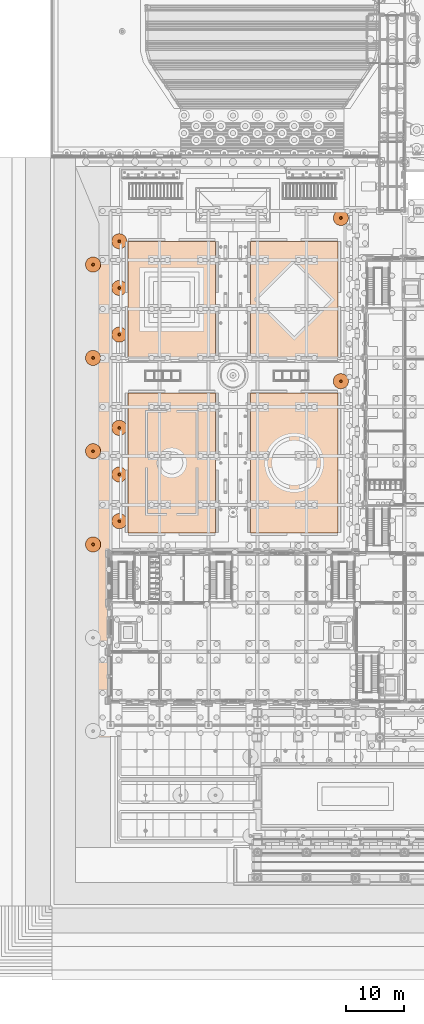
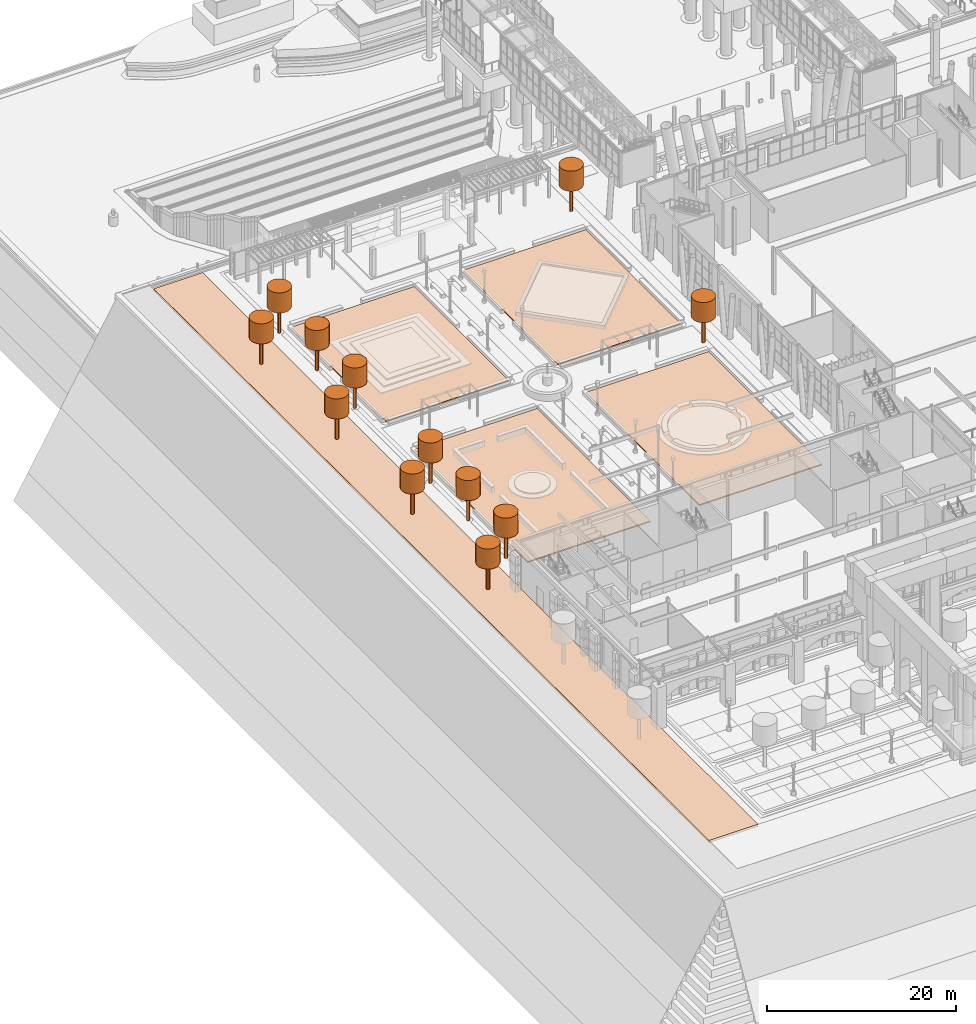
# One storey, part 220 of 222: 29 geographic elements.
"""IFC4 building model written with IfcOpenShell, lengths in metres."""

from ifc_helpers import new_model, si_unit, direction, frame, origin, origin_2d, place, context, subcontext, project, spatial, polyline, circle, outline, extrude, material, type_object, element, save


model = new_model("IFC4")

# Units and contexts
model_context = context("Model", 3, precision=1e-05, world=origin(), true_north=direction((0.0, 1.0)))
body_context = subcontext(model_context, "Body", "Model", "MODEL_VIEW")
ifc_project = project(units=[si_unit("LENGTHUNIT", "METRE"), si_unit("AREAUNIT", "SQUARE_METRE"), si_unit("VOLUMEUNIT", "CUBIC_METRE"), si_unit("PLANEANGLEUNIT", "RADIAN"), si_unit("MASSUNIT", "GRAM", prefix="KILO")], contexts=[model_context])

# Site, building, storey
site_placement = place(None, origin())
site = spatial("IfcSite", under=ifc_project, at=site_placement, CompositionType="ELEMENT")
building_placement = place(site_placement, origin())
building = spatial("IfcBuilding", under=site, at=building_placement, Name="Sava Quay Ferry Terminal", CompositionType="ELEMENT")
storey_placement = place(building_placement, origin())
storey = spatial("IfcBuildingStorey", under=building, at=storey_placement, Name="L00", CompositionType="ELEMENT", Elevation=0.0)

# Geographic elements
ifc_material_1 = material(Name="Turf and topsoil")
geographic_element_type_1 = type_object("IfcGeographicElementType", Name="Lawn bed 150", PredefinedType="TERRAIN", material=ifc_material_1)
geographic_element_1_placement = place(storey_placement, origin())
element("IfcGeographicElement", 1, at=geographic_element_1_placement, inside=storey, type_object=geographic_element_type_1, Name="West Quay Garden lawn", PredefinedType="TERRAIN", context=body_context, shape_type="SweptSolid", body=[
    extrude(outline(polyline([(18.0, 54.0), (18.0, 78.0), (3.0, 78.0), (3.0, 54.0), (18.0, 54.0)])), origin(), (0.0, 0.0, 1.0), 0.14990234375),
])
geographic_element_2_placement = place(storey_placement, origin())
element("IfcGeographicElement", 2, at=geographic_element_2_placement, inside=storey, type_object=geographic_element_type_1, Name="West Quay Garden lawn", PredefinedType="TERRAIN", context=body_context, shape_type="SweptSolid", body=[
    extrude(outline(polyline([(39.0, 54.0), (39.0, 78.0), (24.0, 78.0), (24.0, 54.0), (39.0, 54.0)])), origin(), (0.0, 0.0, 1.0), 0.14990234375),
])
geographic_element_3_placement = place(storey_placement, origin())
element("IfcGeographicElement", 3, at=geographic_element_3_placement, inside=storey, type_object=geographic_element_type_1, Name="West Quay Garden lawn", PredefinedType="TERRAIN", context=body_context, shape_type="SweptSolid", body=[
    extrude(outline(polyline([(18.0, 84.0), (18.0, 104.0), (3.0, 104.0), (3.0, 84.0), (18.0, 84.0)])), origin(), (0.0, 0.0, 1.0), 0.14990234375),
])
geographic_element_4_placement = place(storey_placement, origin())
element("IfcGeographicElement", 4, at=geographic_element_4_placement, inside=storey, type_object=geographic_element_type_1, Name="West Quay Garden lawn", PredefinedType="TERRAIN", context=body_context, shape_type="SweptSolid", body=[
    extrude(outline(polyline([(39.0, 84.0), (39.0, 104.0), (24.0, 104.0), (24.0, 84.0), (39.0, 84.0)])), origin(), (0.0, 0.0, 1.0), 0.14990234375),
])
ifc_material_2 = material(Name="Turf and topsoil")
geographic_element_type_2 = type_object("IfcGeographicElementType", Name="Lawn terrain 300", PredefinedType="TERRAIN", material=ifc_material_2)
geographic_element_5_placement = place(storey_placement, frame((0.0, 0.0, -0.300048828125)))
element("IfcGeographicElement", 5, at=geographic_element_5_placement, inside=storey, type_object=geographic_element_type_2, Name="Quay lawn west of the quay deck", PredefinedType="TERRAIN", context=body_context, shape_type="SweptSolid", body=[
    extrude(outline(polyline([(0.0, 0.0), (0.0, 117.60009765625), (-6.0, 117.60009765625), (-6.0, 0.0), (0.0, 0.0)])), origin(), (0.0, 0.0, 1.0), 0.300048828125),
])
ifc_material_3 = material(Name="Foliage")
geographic_element_type_3 = type_object("IfcGeographicElementType", Name="Tree crown D2600", PredefinedType="USERDEFINED", material=ifc_material_3)
for number, where, z_axis, x_axis, name in (
    (6, (-3.0, 52.0, 6.0), (0.0, 0.0, -1.0), (1.0, 0.0, 0.0), "Tree crown"),
    (7, (-3.0, 68.0, 6.0), (0.0, 0.0, -1.0), (1.0, 0.0, 0.0), "Tree crown"),
    (8, (-3.0, 84.0, 6.0), (0.0, 0.0, -1.0), (1.0, 0.0, 0.0), "Tree crown"),
    (9, (-3.0, 100.0, 6.0), (0.0, 0.0, -1.0), (1.0, 0.0, 0.0), "Tree crown"),
    (10, (1.5, 56.0, 6.0), (0.0, 0.0, -1.0), (1.0, 0.0, 0.0), "Tree crown"),
    (11, (1.5, 64.0, 6.0), (0.0, 0.0, -1.0), (1.0, 0.0, 0.0), "Tree crown"),
    (12, (1.5, 72.0, 6.0), (0.0, 0.0, -1.0), (1.0, 0.0, 0.0), "Tree crown"),
    (13, (1.5, 88.0, 6.0), (0.0, 0.0, -1.0), (1.0, 0.0, 0.0), "Tree crown"),
    (14, (1.5, 96.0, 6.0), (0.0, 0.0, -1.0), (1.0, 0.0, 0.0), "Tree crown"),
    (15, (1.5, 104.0, 6.0), (0.0, 0.0, -1.0), (1.0, 0.0, 0.0), "Tree crown"),
    (16, (39.5, 80.0, 6.0), (0.0, 0.0, -1.0), (1.0, 0.0, 0.0), "Tree crown"),
    (17, (39.5, 108.0, 6.0), (0.0, 0.0, -1.0), (1.0, 0.0, 0.0), "Tree crown"),
):
    element("IfcGeographicElement", number, at=place(storey_placement, frame(where, z_axis=z_axis, x_axis=x_axis)), inside=storey, type_object=geographic_element_type_3, Name=name, ObjectType="TREE CROWN", PredefinedType="USERDEFINED", context=body_context, shape_type="SweptSolid", body=[
        extrude(circle(Radius=1.300048828125, at=origin_2d()), origin(), (0.0, 0.0, 1.0), 2.60009765625),
    ])
ifc_material_4 = material(Name="Timber", Category="wood")
geographic_element_type_4 = type_object("IfcGeographicElementType", Name="Tree trunk D400", PredefinedType="USERDEFINED", material=ifc_material_4)
for number, where, z_axis, x_axis, name in (
    (18, (-3.0, 52.0, 3.39990234375), (0.0, 0.0, -1.0), (1.0, 0.0, 0.0), "Tree trunk"),
    (19, (-3.0, 68.0, 3.39990234375), (0.0, 0.0, -1.0), (1.0, 0.0, 0.0), "Tree trunk"),
    (20, (-3.0, 84.0, 3.39990234375), (0.0, 0.0, -1.0), (1.0, 0.0, 0.0), "Tree trunk"),
    (21, (-3.0, 100.0, 3.39990234375), (0.0, 0.0, -1.0), (1.0, 0.0, 0.0), "Tree trunk"),
    (22, (1.5, 56.0, 3.39990234375), (0.0, 0.0, -1.0), (1.0, 0.0, 0.0), "Tree trunk"),
    (23, (1.5, 64.0, 3.39990234375), (0.0, 0.0, -1.0), (1.0, 0.0, 0.0), "Tree trunk"),
    (24, (1.5, 72.0, 3.39990234375), (0.0, 0.0, -1.0), (1.0, 0.0, 0.0), "Tree trunk"),
    (25, (1.5, 88.0, 3.39990234375), (0.0, 0.0, -1.0), (1.0, 0.0, 0.0), "Tree trunk"),
    (26, (1.5, 96.0, 3.39990234375), (0.0, 0.0, -1.0), (1.0, 0.0, 0.0), "Tree trunk"),
    (27, (1.5, 104.0, 3.39990234375), (0.0, 0.0, -1.0), (1.0, 0.0, 0.0), "Tree trunk"),
    (28, (39.5, 80.0, 3.39990234375), (0.0, 0.0, -1.0), (1.0, 0.0, 0.0), "Tree trunk"),
    (29, (39.5, 108.0, 3.39990234375), (0.0, 0.0, -1.0), (1.0, 0.0, 0.0), "Tree trunk"),
):
    element("IfcGeographicElement", number, at=place(storey_placement, frame(where, z_axis=z_axis, x_axis=x_axis)), inside=storey, type_object=geographic_element_type_4, Name=name, ObjectType="TREE TRUNK", PredefinedType="USERDEFINED", context=body_context, shape_type="SweptSolid", body=[
        extrude(circle(Radius=0.199951171875, at=origin_2d()), origin(), (0.0, 0.0, 1.0), 3.39990234375),
    ])

save(model, "model.ifc")
